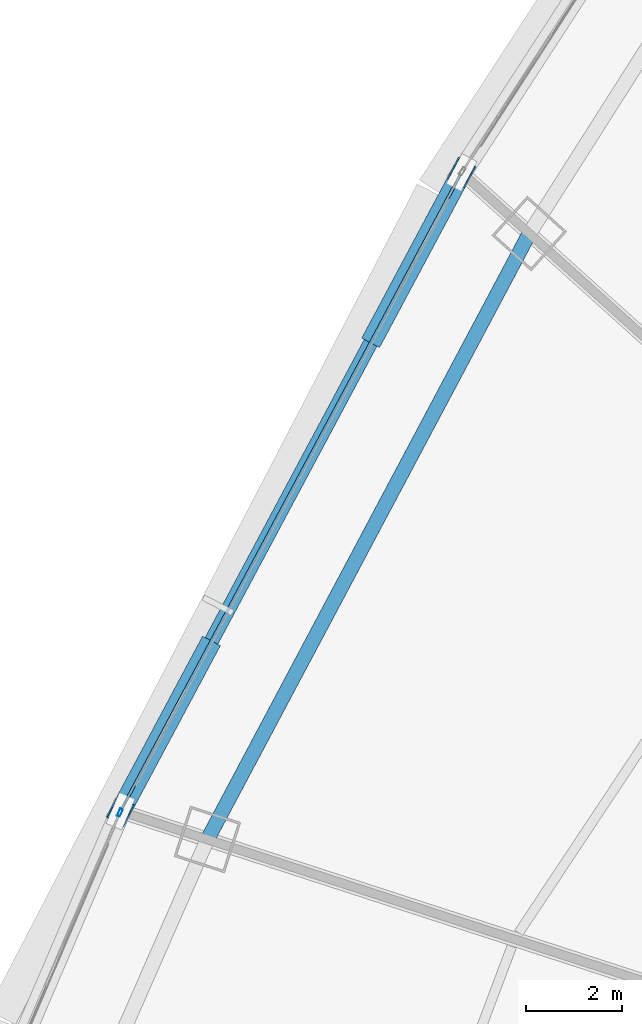
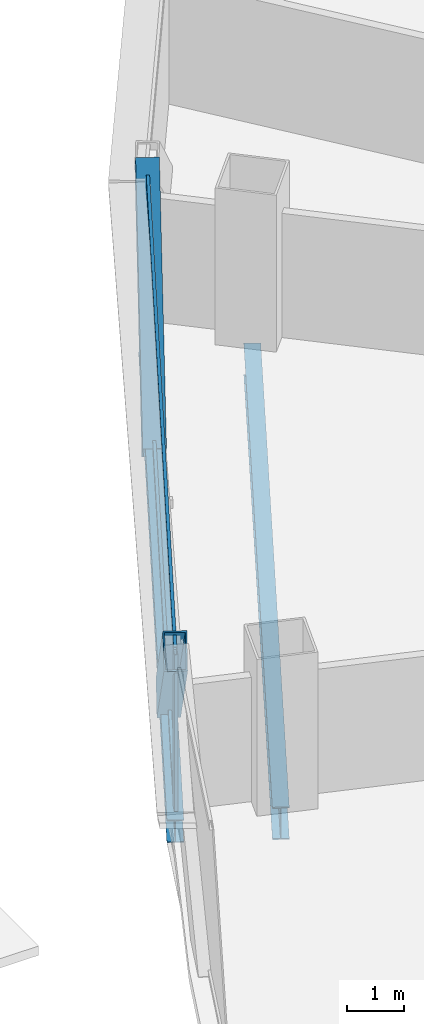
# One storey, part 13 of 38: 5 members, 2 beams, 2 elements without a shape of their own.
"""IFC4 building model written with IfcOpenShell, lengths in metres."""

from ifc_helpers import new_model, si_unit, direction, frame, origin, origin_2d, place, context, subcontext, project, spatial, hollow_rectangle, i_section, extrude, source, transform, mapped, material, layer, layer_set, material_profile, profile_set, type_object, element, aggregate, save


model = new_model("IFC4")

# Units and contexts
model_context = context("Model", 3, precision=1e-05, world=origin(), true_north=direction((0.0, 1.0)))
body_context = subcontext(model_context, "Body", "Model", "MODEL_VIEW")
ifc_project = project(units=[si_unit("LENGTHUNIT", "METRE"), si_unit("AREAUNIT", "SQUARE_METRE"), si_unit("VOLUMEUNIT", "CUBIC_METRE"), si_unit("PLANEANGLEUNIT", "RADIAN"), si_unit("MASSUNIT", "GRAM", prefix="KILO"), si_unit("THERMODYNAMICTEMPERATUREUNIT", "KELVIN"), si_unit("POWERUNIT", "WATT")], contexts=[model_context])

# Site, building, storey
site_placement = place(None, origin())
site = spatial("IfcSite", under=ifc_project, at=site_placement, CompositionType="ELEMENT")
building_placement = place(site_placement, origin())
building = spatial("IfcBuilding", under=site, at=building_placement, Name="Yunzhuo Pagoda Commons", CompositionType="ELEMENT")
storey_placement = place(building_placement, frame((0.0, 0.0, 30.39990234375)))
storey = spatial("IfcBuildingStorey", under=building, at=storey_placement, Name="L07", CompositionType="ELEMENT", Elevation=30.39990234375)

# Beams
ifc_material_1 = material(Name="Structural steel Q355B", Category="steel")
ifc_material_profile_1 = material_profile(ifc_material_1, i_section(OverallWidth=0.300048828125, OverallDepth=0.699951171875, WebThickness=0.012939453125, FlangeThickness=0.02392578125, at=origin_2d()), Name="Structural steel Q355B")
ifc_profile_set_1 = profile_set([ifc_material_profile_1], Name="Structural steel Q355B")
beam_type_1 = type_object("IfcBeamType", Name="B-RG1 Beam HN 700x300x13x24", PredefinedType="BEAM", material=ifc_profile_set_1)
shared_shape_1 = source(origin(), body_context, "Body", "SweptSolid", [
    extrude(i_section(OverallWidth=0.300048828125, OverallDepth=0.699951171875, WebThickness=0.012939453125, FlangeThickness=0.02392578125, at=origin_2d()), origin(), (0.0, 0.0, 1.0), 14.25390625),
])
beam_1_placement = place(storey_placement, frame((22.351318359375, 56.79443359375, -0.60986328125), z_axis=(-0.469118073628, -0.883135455633, 0.0), x_axis=(0.883135455633, -0.469118073628, 0.0)))
element("IfcBeam", 1, at=beam_1_placement, inside=storey, type_object=beam_type_1, Name="L07 column-ring beam 10", PredefinedType="BEAM", context=body_context, shape_type="MappedRepresentation", body=[
    mapped(shared_shape_1, transform((0.0, 0.0, 0.0), scale=1.0)),
])
ifc_material_profile_2 = material_profile(ifc_material_1, i_section(OverallWidth=0.300048828125, OverallDepth=0.488037109375, WebThickness=0.010986328125, FlangeThickness=0.01806640625, at=origin_2d()), Name="Structural steel Q355B")
ifc_profile_set_2 = profile_set([ifc_material_profile_2], Name="Structural steel Q355B")
beam_type_2 = type_object("IfcBeamType", Name="B-SP1 Beam HM 488x300x11x18", PredefinedType="BEAM", material=ifc_profile_set_2)
shared_shape_2 = source(origin(), body_context, "Body", "SweptSolid", [
    extrude(i_section(OverallWidth=0.300048828125, OverallDepth=0.488037109375, WebThickness=0.010986328125, FlangeThickness=0.01806640625, at=origin_2d()), origin(), (0.0, 0.0, 1.0), 15.041748046875),
])
beam_2_placement = place(storey_placement, frame((20.94384765625, 58.061767578125, -0.50390625), z_axis=(-0.470990872098, -0.882138083522, 0.0), x_axis=(0.882138083522, -0.470990872098, 0.0)))
element("IfcBeam", 2, at=beam_2_placement, inside=storey, type_object=beam_type_2, Name="L07 facade edge spandrel beam F3.2", PredefinedType="BEAM", context=body_context, shape_type="MappedRepresentation", body=[
    mapped(shared_shape_2, transform((0.0, 0.0, 0.0), scale=1.0)),
])

# Members
ifc_material_2 = material(Name="Structural steel Q420B", Category="steel")
ifc_material_profile_3 = material_profile(ifc_material_2, hollow_rectangle(XDim=0.419921875, YDim=0.719970703125, WallThickness=0.028076171875, at=origin_2d()), Name="Structural steel Q420B")
ifc_profile_set_3 = profile_set([ifc_material_profile_3], Name="Structural steel Q420B")
member_type_1 = type_object("IfcMemberType", Name="M-DL1 Brace BOX 720x420x28", PredefinedType="BRACE", material=ifc_profile_set_3)
shared_shape_3 = source(origin(), body_context, "Body", "SweptSolid", [
    extrude(hollow_rectangle(XDim=0.419921875, YDim=0.719970703125, WallThickness=0.028076171875, at=origin_2d()), origin(), (0.0, 0.0, 1.0), 5.226806640625),
])
member_1_placement = place(storey_placement, frame((15.63037109375, 48.110107421875, -0.260009765625), z_axis=(-0.338829943276, -0.634640534779, 0.69456868714), x_axis=(0.882147970332, -0.47097235422, 0.0)))
element("IfcMember", 3, at=member_1_placement, inside=storey, type_object=member_type_1, Name="L07 facade diamond brace F3.2R", PredefinedType="BRACE", context=body_context, shape_type="MappedRepresentation", body=[
    mapped(shared_shape_3, transform((0.0, 0.0, 0.0), scale=1.0)),
])
shared_shape_4 = source(origin(), body_context, "Body", "SweptSolid", [
    extrude(hollow_rectangle(XDim=0.419921875, YDim=0.719970703125, WallThickness=0.028076171875, at=origin_2d()), origin(), (0.0, 0.0, 1.0), 5.22705078125),
])
member_2_placement = place(storey_placement, frame((19.172607421875, 54.744384765625, -0.260009765625), z_axis=(0.338861244187, 0.634658385391, 0.69453710559), x_axis=(-0.882135398072, 0.470995901753, 0.0)))
element("IfcMember", 4, at=member_2_placement, inside=storey, type_object=member_type_1, Name="L07 facade diamond brace F3.2L", PredefinedType="BRACE", context=body_context, shape_type="MappedRepresentation", body=[
    mapped(shared_shape_4, transform((0.0, 0.0, 0.0), scale=1.0)),
])

# Curtain wall, member
ifc_material_3 = material(Name="Anodized aluminium 6063-T6", Category="aluminium")
ifc_layer = layer(ifc_material_3, 0.1650390625)
ifc_layer_set = layer_set([ifc_layer], Name="Anodized aluminium 6063-T6")
curtain_wall_type = type_object("IfcCurtainWallType", Name="CW-LOW Low-Zone Ribbon Curtain Wall", PredefinedType="NOTDEFINED", material=ifc_layer_set)
curtain_wall_1_placement = place(storey_placement, origin())
curtain_wall_1 = element("IfcCurtainWall", 5, at=curtain_wall_1_placement, inside=storey, type_object=curtain_wall_type, Name="L07 curtain wall CW-L07-F3B4", PredefinedType="NOTDEFINED")
ifc_material_profile_4 = material_profile(ifc_material_3, hollow_rectangle(XDim=0.06494140625, YDim=0.1650390625, WallThickness=0.00390625, at=origin_2d()), Name="Anodized aluminium 6063-T6")
ifc_profile_set_4 = profile_set([ifc_material_profile_4], Name="Anodized aluminium 6063-T6")
member_type_2 = type_object("IfcMemberType", Name="CW-LOW-M Mullion RHS 165x65x4", PredefinedType="MULLION", material=ifc_profile_set_4)
shared_shape_5 = source(origin(), body_context, "Body", "SweptSolid", [
    extrude(hollow_rectangle(XDim=0.06494140625, YDim=0.1650390625, WallThickness=0.00390625, at=origin_2d()), origin(), (0.0, 0.0, 1.0), 3.370361328125),
])
member_3_placement = place(storey_placement, frame((13.8466796875, 44.76318359375, 0.0), z_axis=(0.0, 0.0, 1.0), x_axis=(0.918745212535, -0.394850901535, 0.0)))
member_3 = element("IfcMember", 6, at=member_3_placement, type_object=member_type_2, Name="CW mullion 1", PredefinedType="MULLION", context=body_context, shape_type="MappedRepresentation", body=[
    mapped(shared_shape_5, transform((0.0, 0.0, 0.0), scale=1.0)),
])
aggregate(curtain_wall_1, [member_3])

# Curtain wall, members
curtain_wall_2_placement = place(storey_placement, origin())
curtain_wall_2 = element("IfcCurtainWall", 7, at=curtain_wall_2_placement, inside=storey, type_object=curtain_wall_type, Name="L07 curtain wall CW-L07-F3B3", PredefinedType="NOTDEFINED")
ifc_material_profile_5 = material_profile(ifc_material_3, hollow_rectangle(XDim=0.06005859375, YDim=0.139892578125, WallThickness=0.00341796875, at=origin_2d()), Name="Anodized aluminium 6063-T6")
ifc_profile_set_5 = profile_set([ifc_material_profile_5], Name="Anodized aluminium 6063-T6")
member_type_3 = type_object("IfcMemberType", Name="CW-LOW-T Transom RHS 140x60x3.5", PredefinedType="USERDEFINED", material=ifc_profile_set_5)
shared_shape_6 = source(origin(), body_context, "Body", "SweptSolid", [
    extrude(hollow_rectangle(XDim=0.06005859375, YDim=0.139892578125, WallThickness=0.00341796875, at=origin_2d()), origin(), (0.0, 0.0, 1.0), 14.911865234375),
])
member_4_placement = place(storey_placement, frame((20.9130859375, 58.004638671875, 0.030029296875), z_axis=(-0.470983333873, -0.882142108287, 0.0), x_axis=(0.882142108287, -0.470983333873, 0.0)))
member_4 = element("IfcMember", 8, at=member_4_placement, type_object=member_type_3, Name="CW transom 1.1", ObjectType="TRANSOM", PredefinedType="USERDEFINED", context=body_context, shape_type="MappedRepresentation", body=[
    mapped(shared_shape_6, transform((0.0, 0.0, 0.0), scale=1.0)),
])
member_5_placement = place(storey_placement, frame((20.9130859375, 58.004638671875, 3.340087890625), z_axis=(-0.470983333873, -0.882142108287, 0.0), x_axis=(0.882142108287, -0.470983333873, 0.0)))
member_5 = element("IfcMember", 9, at=member_5_placement, type_object=member_type_3, Name="CW transom 1.2", ObjectType="TRANSOM", PredefinedType="USERDEFINED", context=body_context, shape_type="MappedRepresentation", body=[
    mapped(shared_shape_6, transform((0.0, 0.0, 0.0), scale=1.0)),
])
aggregate(curtain_wall_2, [member_4, member_5])

save(model, "model.ifc")
